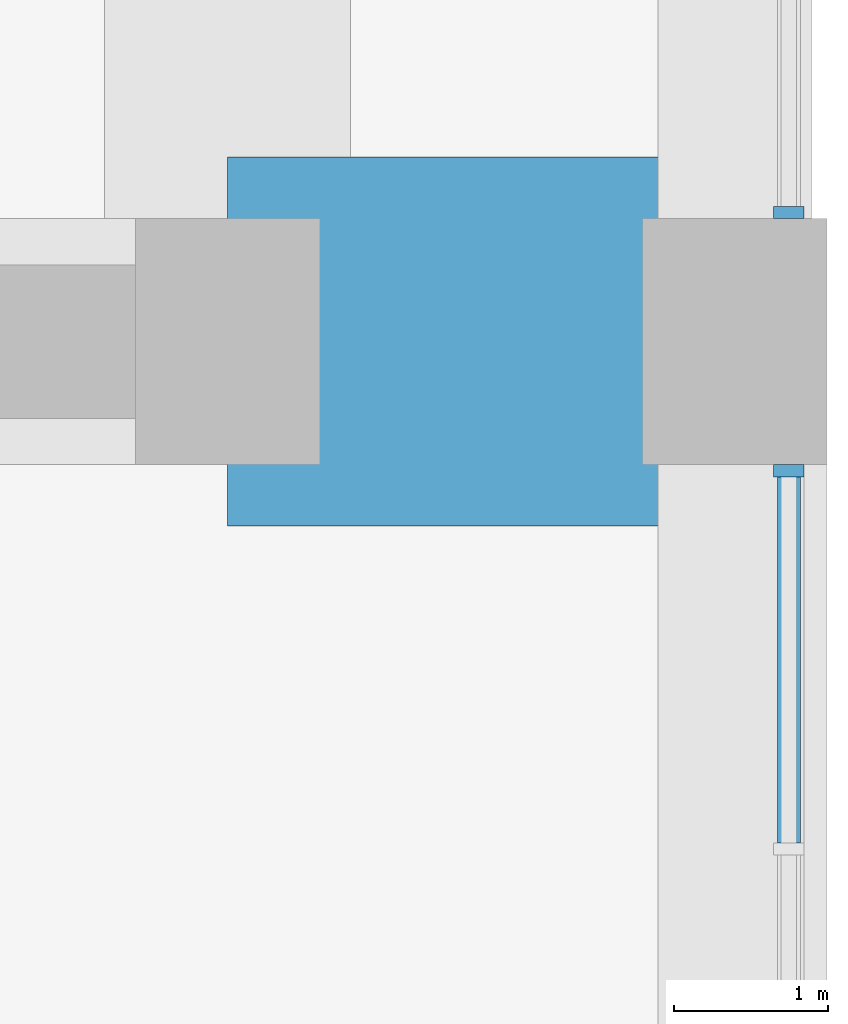
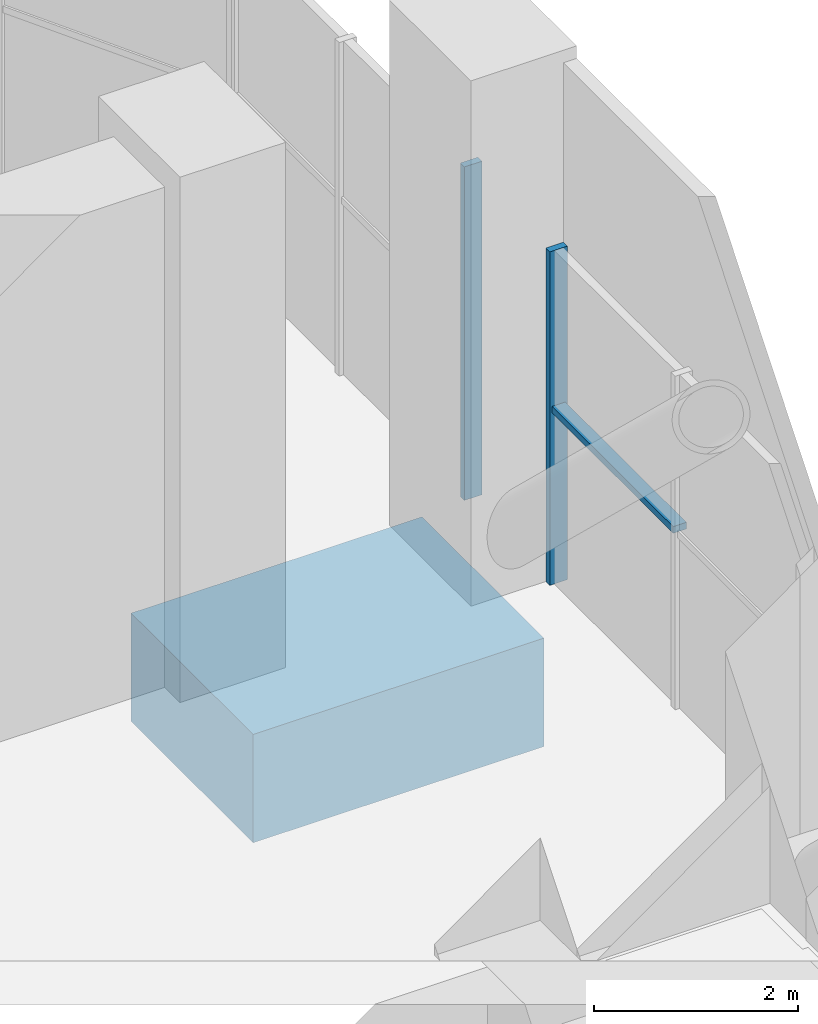
# One storey, part 5 of 15: 3 members, 1 beam, 2 elements without a shape of their own.
"""IFC4 building model written with IfcOpenShell, lengths in metres."""

from ifc_helpers import new_model, si_unit, direction, frame, origin, origin_2d, place, context, subcontext, project, spatial, rectangle, extrude, material, material_profile, profile_set, type_object, element, aggregate, save


model = new_model("IFC4")

# Units and contexts
model_context = context("Model", 3, precision=1e-05, world=origin(), true_north=direction((0.0, 1.0)))
body_context = subcontext(model_context, "Body", "Model", "MODEL_VIEW")
ifc_project = project(units=[si_unit("LENGTHUNIT", "METRE"), si_unit("AREAUNIT", "SQUARE_METRE"), si_unit("VOLUMEUNIT", "CUBIC_METRE"), si_unit("PLANEANGLEUNIT", "RADIAN"), si_unit("MASSUNIT", "GRAM", prefix="KILO")], contexts=[model_context])

# Site, building, storey
site_placement = place(None, origin())
site = spatial("IfcSite", under=ifc_project, at=site_placement, CompositionType="ELEMENT")
building_placement = place(site_placement, origin())
building = spatial("IfcBuilding", under=site, at=building_placement, Name="Cobogo Forest Laboratory Tower", CompositionType="ELEMENT")
storey_placement = place(building_placement, frame((0.0, 0.0, 222.89990234375)))
storey = spatial("IfcBuildingStorey", under=building, at=storey_placement, Name="L51", CompositionType="ELEMENT", Elevation=222.89990234375)

# Curtain wall, member
ifc_material_1 = material(Name="Aluminium curtain wall", Category="aluminium")
curtain_wall_type = type_object("IfcCurtainWallType", Name="CW-P louvred curtain wall, plant floors", PredefinedType="USERDEFINED", material=ifc_material_1)
curtain_wall_1_placement = place(storey_placement, origin())
curtain_wall_1 = element("IfcCurtainWall", 1, at=curtain_wall_1_placement, inside=storey, type_object=curtain_wall_type, Name="Curtain wall 12 L51", ObjectType="LOUVRED CURTAIN WALL", PredefinedType="USERDEFINED")
ifc_material_2 = material(Name="Aluminium mullion", Category="aluminium")
ifc_material_profile_1 = material_profile(ifc_material_2, rectangle(XDim=0.080078125, YDim=0.199951171875, at=origin_2d()), Name="AL 80x200")
ifc_profile_set_1 = profile_set([ifc_material_profile_1], Name="Aluminium mullion")
member_type_1 = type_object("IfcMemberType", Name="MU-3 aluminium louvre mullion 80x200", PredefinedType="MULLION", material=ifc_profile_set_1)
member_1_placement = place(storey_placement, frame((49.85009765625, 32.159912109375, 0.0), z_axis=(0.0, 0.0, 1.0), x_axis=(0.0, 1.0, 0.0)))
member_1 = element("IfcMember", 2, at=member_1_placement, type_object=member_type_1, Name="CW-P mullion 3", PredefinedType="MULLION", context=body_context, shape_type="SweptSolid", body=[
    extrude(rectangle(XDim=0.080078125, YDim=0.199951171875, at=origin_2d()), origin(), (0.0, 0.0, 1.0), 4.0),
])

curtain_wall_2_placement = place(storey_placement, origin())
curtain_wall_2 = element("IfcCurtainWall", 3, at=curtain_wall_2_placement, inside=storey, type_object=curtain_wall_type, Name="Curtain wall 13 L51", ObjectType="LOUVRED CURTAIN WALL", PredefinedType="USERDEFINED")
member_2_placement = place(storey_placement, frame((49.85009765625, 33.840087890625, 0.0), z_axis=(0.0, 0.0, 1.0), x_axis=(0.0, 1.0, 0.0)))
member_2 = element("IfcMember", 4, at=member_2_placement, type_object=member_type_1, Name="CW-P mullion 1", PredefinedType="MULLION", context=body_context, shape_type="SweptSolid", body=[
    extrude(rectangle(XDim=0.080078125, YDim=0.199951171875, at=origin_2d()), origin(), (0.0, 0.0, 1.0), 4.0),
])
aggregate(curtain_wall_2, [member_2])

# Beam
ifc_material_3 = material(Name="Concrete HA-50 (C50/60)", Category="concrete")
ifc_material_profile_2 = material_profile(ifc_material_3, rectangle(XDim=2.39990234375, YDim=1.300048828125, at=origin_2d()), Name="RC 2400x1300")
ifc_profile_set_2 = profile_set([ifc_material_profile_2], Name="Concrete HA-50 (C50/60)")
beam_type = type_object("IfcBeamType", Name="Plant floor end-bay beam 2400x1300", PredefinedType="BEAM", material=ifc_profile_set_2)
beam_placement = place(storey_placement, frame((49.5, 33.0, -1.0), z_axis=(-1.0, 0.0, 0.0), x_axis=(0.0, -1.0, 0.0)))
element("IfcBeam", 5, at=beam_placement, inside=storey, type_object=beam_type, Name="RB6 R-F-E-X L51", PredefinedType="BEAM", context=body_context, shape_type="SweptSolid", body=[
    extrude(rectangle(XDim=2.39990234375, YDim=1.300048828125, at=origin_2d()), origin(), (0.0, 0.0, 1.0), 3.300048828125),
])

# Member
ifc_material_4 = material(Name="Aluminium transom", Category="aluminium")
ifc_material_profile_3 = material_profile(ifc_material_4, rectangle(XDim=0.14990234375, YDim=0.080078125, at=origin_2d()), Name="AL 80x150")
ifc_profile_set_3 = profile_set([ifc_material_profile_3], Name="Aluminium transom")
member_type_2 = type_object("IfcMemberType", Name="TR-2 aluminium louvre transom 80x150", PredefinedType="USERDEFINED", material=ifc_profile_set_3)
member_3_placement = place(storey_placement, frame((49.85009765625, 29.739990234375, 2.10009765625), z_axis=(0.0, 1.0, 0.0), x_axis=(-1.0, 0.0, 0.0)))
member_3 = element("IfcMember", 6, at=member_3_placement, type_object=member_type_2, Name="CW-P transom 2.1", ObjectType="TRANSOM", PredefinedType="USERDEFINED", context=body_context, shape_type="SweptSolid", body=[
    extrude(rectangle(XDim=0.14990234375, YDim=0.080078125, at=origin_2d()), origin(), (0.0, 0.0, 1.0), 2.380126953125),
])

aggregate(curtain_wall_1, [member_1, member_3])

save(model, "model.ifc")
